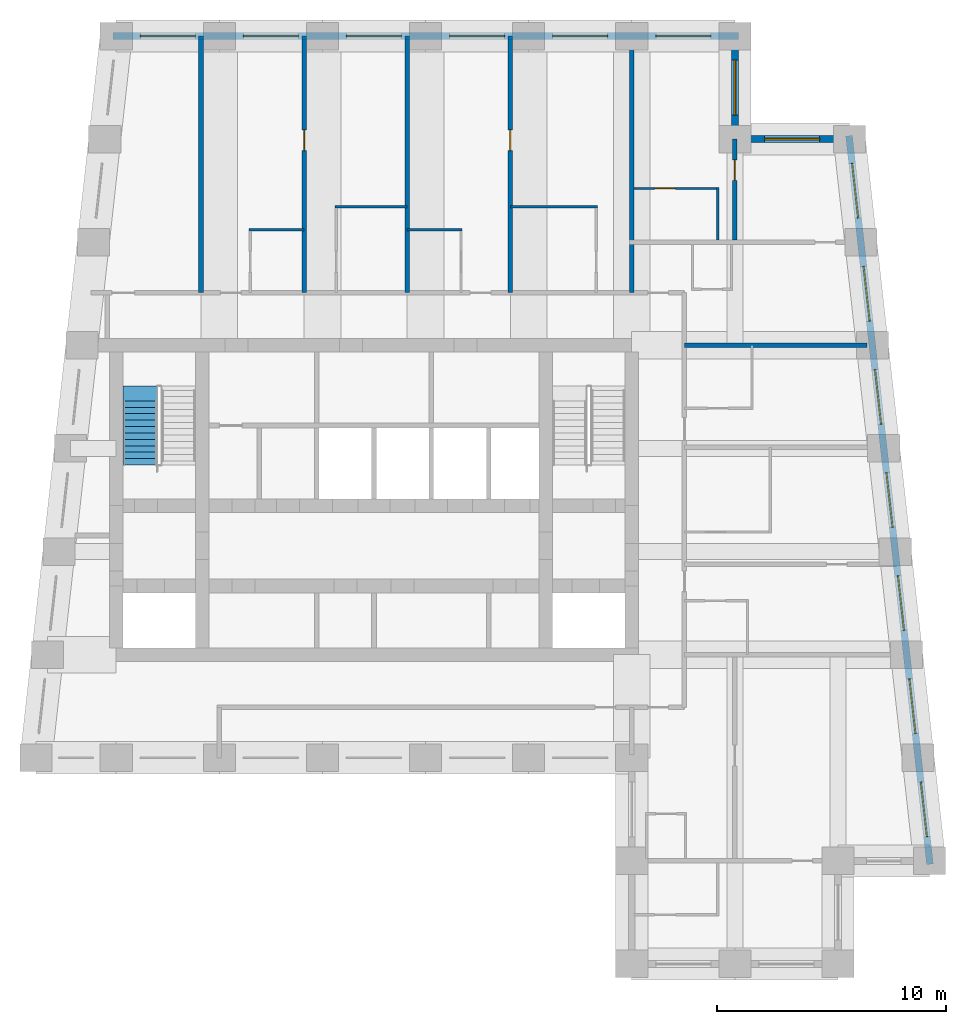
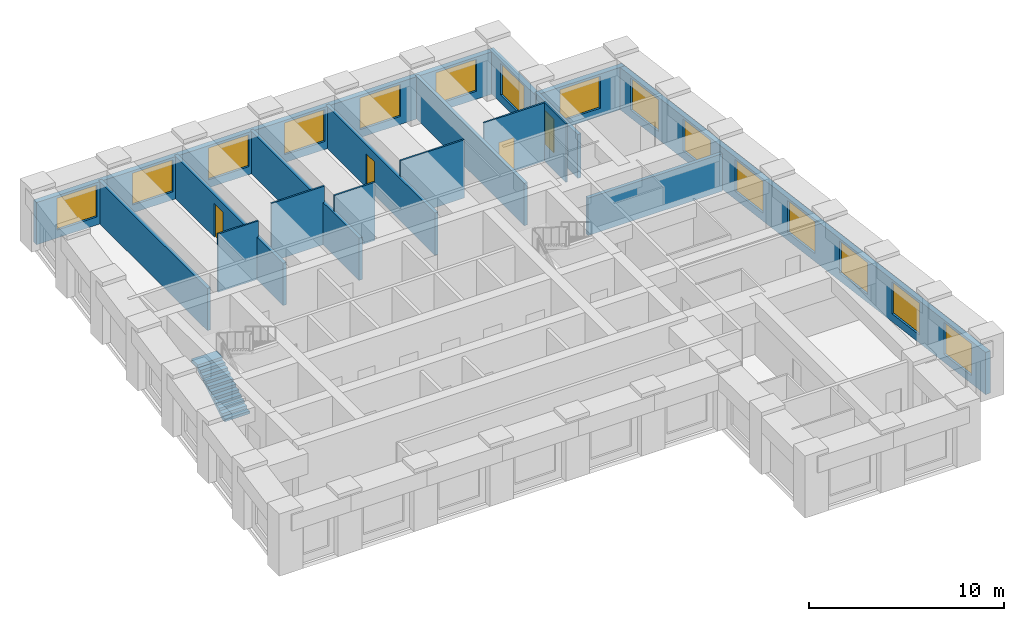
# One storey, part 5 of 7: 17 walls, 15 windows, 4 doors, 1 stair flight, 19 openings, 1 element without a shape of its own.
"""IFC4 building model written with IfcOpenShell, lengths in metres."""

from ifc_helpers import new_model, si_unit, direction, frame, frame_2d, origin, place, context, subcontext, project, spatial, polyline, rectangle, outline, extrude, material, layer, layer_set, type_object, element, fill, aggregate, save


model = new_model("IFC4")

# Units and contexts
model_context = context("Model", 3, precision=1e-05, world=origin(), true_north=direction((0.0, 1.0)))
body_context = subcontext(model_context, "Body", "Model", "MODEL_VIEW")
ifc_project = project(units=[si_unit("LENGTHUNIT", "METRE"), si_unit("AREAUNIT", "SQUARE_METRE"), si_unit("VOLUMEUNIT", "CUBIC_METRE"), si_unit("PLANEANGLEUNIT", "RADIAN"), si_unit("MASSUNIT", "GRAM", prefix="KILO")], contexts=[model_context])

# Site, building, storey
site_placement = place(None, origin())
site = spatial("IfcSite", under=ifc_project, at=site_placement, CompositionType="ELEMENT")
building_placement = place(site_placement, origin())
building = spatial("IfcBuilding", under=site, at=building_placement, Name="Kilele Tower Hotel", CompositionType="ELEMENT")
storey_placement = place(building_placement, frame((0.0, 0.0, 262.39990234375)))
storey = spatial("IfcBuildingStorey", under=building, at=storey_placement, Name="L67", CompositionType="ELEMENT", Elevation=262.39990234375)

# Walls
ifc_material_1 = material(Name="Moisture-resistant board")
ifc_layer_1 = layer(ifc_material_1, 0.10009765625)
ifc_layer_set_1 = layer_set([ifc_layer_1], Name="Moisture-resistant board")
wall_type_1 = type_object("IfcWallType", Name="Bathroom partition 100", PredefinedType="PLUMBINGWALL", material=ifc_layer_set_1)
wall_1_placement = place(storey_placement, frame((19.300048828125, 32.050048828125, 0.0), z_axis=(0.0, 0.0, 1.0), x_axis=(1.0, 0.0, 0.0)))
element("IfcWall", 1, at=wall_1_placement, inside=storey, type_object=wall_type_1, Name="Bathroom partition 100 L67", PredefinedType="PLUMBINGWALL", context=body_context, shape_type="SweptSolid", body=[
    extrude(rectangle(XDim=2.39990234375, YDim=0.10009765625, at=frame_2d((1.199951171875, 0.0))), origin(), (0.0, 0.0, 1.0), 3.650146484375),
])
wall_2_placement = place(storey_placement, frame((23.050048828125, 33.050048828125, 0.0), z_axis=(0.0, 0.0, 1.0), x_axis=(1.0, 0.0, 0.0)))
element("IfcWall", 2, at=wall_2_placement, inside=storey, type_object=wall_type_1, Name="Bathroom partition 100 L67", PredefinedType="PLUMBINGWALL", context=body_context, shape_type="SweptSolid", body=[
    extrude(rectangle(XDim=3.14990234375, YDim=0.10009765625, at=frame_2d((1.574951171875, 0.0))), origin(), (0.0, 0.0, 1.0), 3.650146484375),
])
wall_3_placement = place(storey_placement, frame((26.199951171875, 32.050048828125, 0.0), z_axis=(0.0, 0.0, 1.0), x_axis=(1.0, 0.0, 0.0)))
element("IfcWall", 3, at=wall_3_placement, inside=storey, type_object=wall_type_1, Name="Bathroom partition 100 L67", PredefinedType="PLUMBINGWALL", context=body_context, shape_type="SweptSolid", body=[
    extrude(rectangle(XDim=2.400146484375, YDim=0.10009765625, at=frame_2d((1.2001953125, 0.0))), origin(), (0.0, 0.0, 1.0), 3.650146484375),
])
wall_4_placement = place(storey_placement, frame((30.699951171875, 33.050048828125, 0.0), z_axis=(0.0, 0.0, 1.0), x_axis=(1.0, 0.0, 0.0)))
element("IfcWall", 4, at=wall_4_placement, inside=storey, type_object=wall_type_1, Name="Bathroom partition 100 L67", PredefinedType="PLUMBINGWALL", context=body_context, shape_type="SweptSolid", body=[
    extrude(rectangle(XDim=3.800048828125, YDim=0.10009765625, at=frame_2d((1.89990234375, 0.0))), origin(), (0.0, 0.0, 1.0), 3.650146484375),
])
wall_5_placement = place(storey_placement, frame((39.75, 31.60009765625, 0.0), z_axis=(0.0, 0.0, 1.0), x_axis=(0.0, 1.0, 0.0)))
element("IfcWall", 5, at=wall_5_placement, inside=storey, type_object=wall_type_1, Name="Bathroom partition 100 L67", PredefinedType="PLUMBINGWALL", context=body_context, shape_type="SweptSolid", body=[
    extrude(rectangle(XDim=2.2998046875, YDim=0.10009765625, at=frame_2d((1.14990234375, 0.0))), origin(), (0.0, 0.0, 1.0), 3.650146484375),
])

# Wall, opening, door
wall_6_placement = place(storey_placement, frame((36.10009765625, 33.85009765625, 0.0), z_axis=(0.0, 0.0, 1.0), x_axis=(1.0, 0.0, 0.0)))
wall_6 = element("IfcWall", 6, at=wall_6_placement, inside=storey, type_object=wall_type_1, Name="Bathroom partition 100 L67", PredefinedType="PLUMBINGWALL", context=body_context, shape_type="SweptSolid", body=[
    extrude(rectangle(XDim=3.699951171875, YDim=0.10009765625, at=frame_2d((1.85009765625, 0.0))), origin(), (0.0, 0.0, 1.0), 3.650146484375),
])
opening_1_placement = place(wall_6_placement, frame((0.89990234375, 0.0, 0.0)))
opening_1 = element("IfcOpeningElement", 7, at=opening_1_placement, cuts=wall_6, Name="Opening D2A", PredefinedType="OPENING", context=body_context, shape_type="SweptSolid", body=[
    extrude(rectangle(XDim=0.89990234375, YDim=2.10009765625, at=frame_2d((0.449951171875, 1.050048828125))), frame((0.0, 0.06005859375, 0.0), z_axis=(0.0, -1.0, 0.0), x_axis=(1.0, 0.0, 0.0)), (0.0, 0.0, 1.0), 0.1201171875),
])
ifc_material_2 = material(Name="Timber door leaf in hardwood frame", Category="wood")
door_type_1 = type_object("IfcDoorType", Name="Bathroom door 900", OperationType="SINGLE_SWING_LEFT", PredefinedType="DOOR", material=ifc_material_2)
door_1_placement = place(opening_1_placement, origin())
door_1 = element("IfcDoor", 8, at=door_1_placement, inside=storey, type_object=door_type_1, Name="Bathroom door 6715B", OperationType="SINGLE_SWING_LEFT", OverallHeight=2.10009765625, OverallWidth=0.89990234375, PredefinedType="DOOR", context=body_context, shape_type="SweptSolid", body=[
    extrude(rectangle(XDim=0.89990234375, YDim=2.10009765625, at=frame_2d((0.449951171875, 1.050048828125))), frame((0.0, 0.02490234375, 0.0), z_axis=(0.0, -1.0, 0.0), x_axis=(1.0, 0.0, 0.0)), (0.0, 0.0, 1.0), 0.050048828125),
])
fill(opening_1, door_1)

ifc_material_3 = material(Name="Blockwork, plastered both sides", Category="masonry")
ifc_layer_2 = layer(ifc_material_3, 0.199951171875)
ifc_layer_set_2 = layer_set([ifc_layer_2], Name="Blockwork, plastered both sides")
wall_type_2 = type_object("IfcWallType", Name="Partition wall 200", PredefinedType="PARTITIONING", material=ifc_layer_set_2)
wall_7_placement = place(storey_placement, frame((40.5, 31.60009765625, 0.0), z_axis=(0.0, 0.0, 1.0), x_axis=(0.0, 1.0, 0.0)))
wall_7 = element("IfcWall", 9, at=wall_7_placement, inside=storey, type_object=wall_type_2, Name="Partition wall 200 L67", PredefinedType="PARTITIONING", context=body_context, shape_type="SweptSolid", body=[
    extrude(rectangle(XDim=4.39990234375, YDim=0.199951171875, at=frame_2d((2.199951171875, 0.0))), origin(), (0.0, 0.0, 1.0), 2.75),
])
opening_2_placement = place(wall_7_placement, frame((2.60009765625, 0.0, 0.0)))
opening_2 = element("IfcOpeningElement", 10, at=opening_2_placement, cuts=wall_7, Name="Opening D3", PredefinedType="OPENING", context=body_context, shape_type="SweptSolid", body=[
    extrude(rectangle(XDim=0.89990234375, YDim=2.10009765625, at=frame_2d((0.449951171875, 1.050048828125))), frame((0.0, 0.10986328125, 0.0), z_axis=(0.0, -1.0, 0.0), x_axis=(1.0, 0.0, 0.0)), (0.0, 0.0, 1.0), 0.219970703125),
])
ifc_material_4 = material(Name="Timber door leaf in hardwood frame", Category="wood")
door_type_2 = type_object("IfcDoorType", Name="Suite internal door 900", OperationType="SINGLE_SWING_LEFT", PredefinedType="DOOR", material=ifc_material_4)
door_2_placement = place(opening_2_placement, origin())
door_2 = element("IfcDoor", 11, at=door_2_placement, inside=storey, type_object=door_type_2, Name="Suite door 6716", OperationType="SINGLE_SWING_LEFT", OverallHeight=2.10009765625, OverallWidth=0.89990234375, PredefinedType="DOOR", context=body_context, shape_type="SweptSolid", body=[
    extrude(rectangle(XDim=0.89990234375, YDim=2.10009765625, at=frame_2d((0.449951171875, 1.050048828125))), frame((0.0, 0.02490234375, 0.0), z_axis=(0.0, -1.0, 0.0), x_axis=(1.0, 0.0, 0.0)), (0.0, 0.0, 1.0), 0.050048828125),
])
fill(opening_2, door_2)

# Wall
ifc_material_5 = material(Name="Blockwork, plastered both sides", Category="masonry")
ifc_layer_3 = layer(ifc_material_5, 0.199951171875)
ifc_layer_set_3 = layer_set([ifc_layer_3], Name="Blockwork, plastered both sides")
wall_type_3 = type_object("IfcWallType", Name="Party wall 200", PredefinedType="PARTITIONING", material=ifc_layer_set_3)
wall_8_placement = place(storey_placement, frame((17.199951171875, 29.300048828125, 0.0), z_axis=(0.0, 0.0, 1.0), x_axis=(0.0, 1.0, 0.0)))
element("IfcWall", 12, at=wall_8_placement, inside=storey, type_object=wall_type_3, Name="Party wall 200 L67", PredefinedType="PARTITIONING", context=body_context, shape_type="SweptSolid", body=[
    extrude(rectangle(XDim=11.199951171875, YDim=0.199951171875, at=frame_2d((5.60009765625, 0.0))), origin(), (0.0, 0.0, 1.0), 2.650146484375),
])

# Wall, opening, door
wall_9_placement = place(storey_placement, frame((21.699951171875, 29.300048828125, 0.0), z_axis=(0.0, 0.0, 1.0), x_axis=(0.0, 1.0, 0.0)))
wall_9 = element("IfcWall", 13, at=wall_9_placement, inside=storey, type_object=wall_type_3, Name="Party wall 200 L67", PredefinedType="PARTITIONING", context=body_context, shape_type="SweptSolid", body=[
    extrude(rectangle(XDim=11.199951171875, YDim=0.199951171875, at=frame_2d((5.60009765625, 0.0))), origin(), (0.0, 0.0, 1.0), 2.650146484375),
])
opening_3_placement = place(wall_9_placement, frame((6.199951171875, 0.0, 0.0)))
opening_3 = element("IfcOpeningElement", 14, at=opening_3_placement, cuts=wall_9, Name="Opening D3", PredefinedType="OPENING", context=body_context, shape_type="SweptSolid", body=[
    extrude(rectangle(XDim=0.89990234375, YDim=2.10009765625, at=frame_2d((0.449951171875, 1.050048828125))), frame((0.0, 0.10986328125, 0.0), z_axis=(0.0, -1.0, 0.0), x_axis=(1.0, 0.0, 0.0)), (0.0, 0.0, 1.0), 0.219970703125),
])
door_3_placement = place(opening_3_placement, origin())
door_3 = element("IfcDoor", 15, at=door_3_placement, inside=storey, type_object=door_type_2, Name="Suite door 6708", OperationType="SINGLE_SWING_RIGHT", OverallHeight=2.10009765625, OverallWidth=0.89990234375, PredefinedType="DOOR", context=body_context, shape_type="SweptSolid", body=[
    extrude(rectangle(XDim=0.89990234375, YDim=2.10009765625, at=frame_2d((0.449951171875, 1.050048828125))), frame((0.0, 0.02490234375, 0.0), z_axis=(0.0, -1.0, 0.0), x_axis=(1.0, 0.0, 0.0)), (0.0, 0.0, 1.0), 0.050048828125),
])
fill(opening_3, door_3)

# Wall
wall_10_placement = place(storey_placement, frame((26.199951171875, 29.300048828125, 0.0), z_axis=(0.0, 0.0, 1.0), x_axis=(0.0, 1.0, 0.0)))
element("IfcWall", 16, at=wall_10_placement, inside=storey, type_object=wall_type_3, Name="Party wall 200 L67", PredefinedType="PARTITIONING", context=body_context, shape_type="SweptSolid", body=[
    extrude(rectangle(XDim=11.199951171875, YDim=0.199951171875, at=frame_2d((5.60009765625, 0.0))), origin(), (0.0, 0.0, 1.0), 2.650146484375),
])

# Wall, opening, door
wall_11_placement = place(storey_placement, frame((30.699951171875, 29.300048828125, 0.0), z_axis=(0.0, 0.0, 1.0), x_axis=(0.0, 1.0, 0.0)))
wall_11 = element("IfcWall", 17, at=wall_11_placement, inside=storey, type_object=wall_type_3, Name="Party wall 200 L67", PredefinedType="PARTITIONING", context=body_context, shape_type="SweptSolid", body=[
    extrude(rectangle(XDim=11.199951171875, YDim=0.199951171875, at=frame_2d((5.60009765625, 0.0))), origin(), (0.0, 0.0, 1.0), 2.650146484375),
])
opening_4_placement = place(wall_11_placement, frame((6.199951171875, 0.0, 0.0)))
opening_4 = element("IfcOpeningElement", 18, at=opening_4_placement, cuts=wall_11, Name="Opening D3", PredefinedType="OPENING", context=body_context, shape_type="SweptSolid", body=[
    extrude(rectangle(XDim=0.89990234375, YDim=2.10009765625, at=frame_2d((0.449951171875, 1.050048828125))), frame((0.0, 0.10986328125, 0.0), z_axis=(0.0, -1.0, 0.0), x_axis=(1.0, 0.0, 0.0)), (0.0, 0.0, 1.0), 0.219970703125),
])
door_4_placement = place(opening_4_placement, origin())
door_4 = element("IfcDoor", 19, at=door_4_placement, inside=storey, type_object=door_type_2, Name="Suite door 6710", OperationType="SINGLE_SWING_RIGHT", OverallHeight=2.10009765625, OverallWidth=0.89990234375, PredefinedType="DOOR", context=body_context, shape_type="SweptSolid", body=[
    extrude(rectangle(XDim=0.89990234375, YDim=2.10009765625, at=frame_2d((0.449951171875, 1.050048828125))), frame((0.0, 0.02490234375, 0.0), z_axis=(0.0, -1.0, 0.0), x_axis=(1.0, 0.0, 0.0)), (0.0, 0.0, 1.0), 0.050048828125),
])
fill(opening_4, door_4)

# Walls
wall_12_placement = place(storey_placement, frame((38.300048828125, 27.0, 0.0), z_axis=(0.0, 0.0, 1.0), x_axis=(1.0, 0.0, 0.0)))
element("IfcWall", 20, at=wall_12_placement, inside=storey, type_object=wall_type_3, Name="Party wall 200 L67", PredefinedType="PARTITIONING", context=body_context, shape_type="SweptSolid", body=[
    extrude(rectangle(XDim=7.976806640625, YDim=0.199951171875, at=frame_2d((3.98828125, 0.0))), origin(), (0.0, 0.0, 1.0), 2.35009765625),
])
wall_13_placement = place(storey_placement, frame((36.0, 29.300048828125, 0.0), z_axis=(0.0, 0.0, 1.0), x_axis=(0.0, 1.0, 0.0)))
element("IfcWall", 21, at=wall_13_placement, inside=storey, type_object=wall_type_3, Name="Party wall 200 L67", PredefinedType="PARTITIONING", context=body_context, shape_type="SweptSolid", body=[
    extrude(rectangle(XDim=11.199951171875, YDim=0.199951171875, at=frame_2d((5.60009765625, 0.0))), origin(), (0.0, 0.0, 1.0), 2.650146484375),
])

# Wall, openings, windows
ifc_material_6 = material(Name="Concrete C40/50 precast", Category="concrete")
ifc_layer_4 = layer(ifc_material_6, 0.260009765625, Name="Precast backing", Category="LoadBearing")
ifc_material_7 = material(Name="Reconstituted stone finish", Category="masonry")
ifc_layer_5 = layer(ifc_material_7, 0.0400390625, Name="Face mix", Category="Finish")
ifc_layer_set_4 = layer_set([ifc_layer_4, ifc_layer_5], Name="Precast concrete C40/50, reconstituted stone finish")
wall_type_4 = type_object("IfcWallType", Name="Precast stone facade wall 300", PredefinedType="STANDARD", material=ifc_layer_set_4)
wall_14_placement = place(storey_placement, frame((49.0166015625, 4.350830078125, 0.0), z_axis=(0.0, 0.0, 1.0), x_axis=(-0.110433201132, 0.993883548555, 0.0)))
wall_14 = element("IfcWall", 22, at=wall_14_placement, inside=storey, type_object=wall_type_4, Name="Facade wall L67 edge 6", PredefinedType="STANDARD", context=body_context, shape_type="SweptSolid", body=[
    extrude(rectangle(XDim=31.994140625, YDim=0.300048828125, at=frame_2d((15.9970703125, 0.0))), origin(), (0.0, 0.0, 1.0), 2.650146484375),
])
opening_5_placement = place(wall_14_placement, frame((1.214111328125, 0.0, 0.5)))
opening_5 = element("IfcOpeningElement", 23, at=opening_5_placement, cuts=wall_14, Name="Opening W4", PredefinedType="OPENING", context=body_context, shape_type="SweptSolid", body=[
    extrude(rectangle(XDim=2.39990234375, YDim=2.0, at=frame_2d((1.199951171875, 1.0))), frame((0.0, 0.159912109375, 0.0), z_axis=(0.0, -1.0, 0.0), x_axis=(1.0, 0.0, 0.0)), (0.0, 0.0, 1.0), 0.320068359375),
])
opening_6_placement = place(wall_14_placement, frame((5.741943359375, 0.0, 0.5)))
opening_6 = element("IfcOpeningElement", 24, at=opening_6_placement, cuts=wall_14, Name="Opening W4", PredefinedType="OPENING", context=body_context, shape_type="SweptSolid", body=[
    extrude(rectangle(XDim=2.39990234375, YDim=2.0, at=frame_2d((1.199951171875, 1.0))), frame((0.0, 0.159912109375, 0.0), z_axis=(0.0, -1.0, 0.0), x_axis=(1.0, 0.0, 0.0)), (0.0, 0.0, 1.0), 0.320068359375),
])
opening_7_placement = place(wall_14_placement, frame((10.26904296875, 0.0, 0.5)))
opening_7 = element("IfcOpeningElement", 25, at=opening_7_placement, cuts=wall_14, Name="Opening W4", PredefinedType="OPENING", context=body_context, shape_type="SweptSolid", body=[
    extrude(rectangle(XDim=2.39990234375, YDim=2.0, at=frame_2d((1.199951171875, 1.0))), frame((0.0, 0.159912109375, 0.0), z_axis=(0.0, -1.0, 0.0), x_axis=(1.0, 0.0, 0.0)), (0.0, 0.0, 1.0), 0.320068359375),
])
opening_8_placement = place(wall_14_placement, frame((14.797119140625, 0.0, 0.5)))
opening_8 = element("IfcOpeningElement", 26, at=opening_8_placement, cuts=wall_14, Name="Opening W4", PredefinedType="OPENING", context=body_context, shape_type="SweptSolid", body=[
    extrude(rectangle(XDim=2.39990234375, YDim=2.0, at=frame_2d((1.199951171875, 1.0))), frame((0.0, 0.159912109375, 0.0), z_axis=(0.0, -1.0, 0.0), x_axis=(1.0, 0.0, 0.0)), (0.0, 0.0, 1.0), 0.320068359375),
])
opening_9_placement = place(wall_14_placement, frame((19.324951171875, 0.0, 0.5)))
opening_9 = element("IfcOpeningElement", 27, at=opening_9_placement, cuts=wall_14, Name="Opening W4", PredefinedType="OPENING", context=body_context, shape_type="SweptSolid", body=[
    extrude(rectangle(XDim=2.39990234375, YDim=2.0, at=frame_2d((1.199951171875, 1.0))), frame((0.0, 0.159912109375, 0.0), z_axis=(0.0, -1.0, 0.0), x_axis=(1.0, 0.0, 0.0)), (0.0, 0.0, 1.0), 0.320068359375),
])
opening_10_placement = place(wall_14_placement, frame((23.85205078125, 0.0, 0.5)))
opening_10 = element("IfcOpeningElement", 28, at=opening_10_placement, cuts=wall_14, Name="Opening W4", PredefinedType="OPENING", context=body_context, shape_type="SweptSolid", body=[
    extrude(rectangle(XDim=2.39990234375, YDim=2.0, at=frame_2d((1.199951171875, 1.0))), frame((0.0, 0.159912109375, 0.0), z_axis=(0.0, -1.0, 0.0), x_axis=(1.0, 0.0, 0.0)), (0.0, 0.0, 1.0), 0.320068359375),
])
opening_11_placement = place(wall_14_placement, frame((28.3798828125, 0.0, 0.5)))
opening_11 = element("IfcOpeningElement", 29, at=opening_11_placement, cuts=wall_14, Name="Opening W4", PredefinedType="OPENING", context=body_context, shape_type="SweptSolid", body=[
    extrude(rectangle(XDim=2.39990234375, YDim=2.0, at=frame_2d((1.199951171875, 1.0))), frame((0.0, 0.159912109375, 0.0), z_axis=(0.0, -1.0, 0.0), x_axis=(1.0, 0.0, 0.0)), (0.0, 0.0, 1.0), 0.320068359375),
])
ifc_material_8 = material(Name="Aluminium frame, clear double glazing", Category="aluminium")
window_type = type_object("IfcWindowType", Name="Window W4 2400 x 2000", PartitioningType="SINGLE_PANEL", PredefinedType="WINDOW", material=ifc_material_8)
window_1_placement = place(opening_5_placement, origin())
window_1 = element("IfcWindow", 30, at=window_1_placement, inside=storey, type_object=window_type, Name="Window L67", OverallHeight=2.0, OverallWidth=2.39990234375, PartitioningType="SINGLE_PANEL", PredefinedType="WINDOW", context=body_context, shape_type="SweptSolid", body=[
    extrude(rectangle(XDim=2.39990234375, YDim=2.0, at=frame_2d((1.199951171875, 1.0))), frame((0.0, 0.030029296875, 0.0), z_axis=(0.0, -1.0, 0.0), x_axis=(1.0, 0.0, 0.0)), (0.0, 0.0, 1.0), 0.06005859375),
])
fill(opening_5, window_1)
window_2_placement = place(opening_6_placement, origin())
window_2 = element("IfcWindow", 31, at=window_2_placement, inside=storey, type_object=window_type, Name="Window L67", OverallHeight=2.0, OverallWidth=2.39990234375, PartitioningType="SINGLE_PANEL", PredefinedType="WINDOW", context=body_context, shape_type="SweptSolid", body=[
    extrude(rectangle(XDim=2.39990234375, YDim=2.0, at=frame_2d((1.199951171875, 1.0))), frame((0.0, 0.030029296875, 0.0), z_axis=(0.0, -1.0, 0.0), x_axis=(1.0, 0.0, 0.0)), (0.0, 0.0, 1.0), 0.06005859375),
])
fill(opening_6, window_2)
window_3_placement = place(opening_7_placement, origin())
window_3 = element("IfcWindow", 32, at=window_3_placement, inside=storey, type_object=window_type, Name="Window L67", OverallHeight=2.0, OverallWidth=2.39990234375, PartitioningType="SINGLE_PANEL", PredefinedType="WINDOW", context=body_context, shape_type="SweptSolid", body=[
    extrude(rectangle(XDim=2.39990234375, YDim=2.0, at=frame_2d((1.199951171875, 1.0))), frame((0.0, 0.030029296875, 0.0), z_axis=(0.0, -1.0, 0.0), x_axis=(1.0, 0.0, 0.0)), (0.0, 0.0, 1.0), 0.06005859375),
])
fill(opening_7, window_3)
window_4_placement = place(opening_8_placement, origin())
window_4 = element("IfcWindow", 33, at=window_4_placement, inside=storey, type_object=window_type, Name="Window L67", OverallHeight=2.0, OverallWidth=2.39990234375, PartitioningType="SINGLE_PANEL", PredefinedType="WINDOW", context=body_context, shape_type="SweptSolid", body=[
    extrude(rectangle(XDim=2.39990234375, YDim=2.0, at=frame_2d((1.199951171875, 1.0))), frame((0.0, 0.030029296875, 0.0), z_axis=(0.0, -1.0, 0.0), x_axis=(1.0, 0.0, 0.0)), (0.0, 0.0, 1.0), 0.06005859375),
])
fill(opening_8, window_4)
window_5_placement = place(opening_9_placement, origin())
window_5 = element("IfcWindow", 34, at=window_5_placement, inside=storey, type_object=window_type, Name="Window L67", OverallHeight=2.0, OverallWidth=2.39990234375, PartitioningType="SINGLE_PANEL", PredefinedType="WINDOW", context=body_context, shape_type="SweptSolid", body=[
    extrude(rectangle(XDim=2.39990234375, YDim=2.0, at=frame_2d((1.199951171875, 1.0))), frame((0.0, 0.030029296875, 0.0), z_axis=(0.0, -1.0, 0.0), x_axis=(1.0, 0.0, 0.0)), (0.0, 0.0, 1.0), 0.06005859375),
])
fill(opening_9, window_5)
window_6_placement = place(opening_10_placement, origin())
window_6 = element("IfcWindow", 35, at=window_6_placement, inside=storey, type_object=window_type, Name="Window L67", OverallHeight=2.0, OverallWidth=2.39990234375, PartitioningType="SINGLE_PANEL", PredefinedType="WINDOW", context=body_context, shape_type="SweptSolid", body=[
    extrude(rectangle(XDim=2.39990234375, YDim=2.0, at=frame_2d((1.199951171875, 1.0))), frame((0.0, 0.030029296875, 0.0), z_axis=(0.0, -1.0, 0.0), x_axis=(1.0, 0.0, 0.0)), (0.0, 0.0, 1.0), 0.06005859375),
])
fill(opening_10, window_6)
window_7_placement = place(opening_11_placement, origin())
window_7 = element("IfcWindow", 36, at=window_7_placement, inside=storey, type_object=window_type, Name="Window L67", OverallHeight=2.0, OverallWidth=2.39990234375, PartitioningType="SINGLE_PANEL", PredefinedType="WINDOW", context=body_context, shape_type="SweptSolid", body=[
    extrude(rectangle(XDim=2.39990234375, YDim=2.0, at=frame_2d((1.199951171875, 1.0))), frame((0.0, 0.030029296875, 0.0), z_axis=(0.0, -1.0, 0.0), x_axis=(1.0, 0.0, 0.0)), (0.0, 0.0, 1.0), 0.06005859375),
])
fill(opening_11, window_7)

# Wall, opening, window
wall_15_placement = place(storey_placement, frame((45.64990234375, 36.0, 0.0), z_axis=(0.0, 0.0, 1.0), x_axis=(-1.0, 0.0, 0.0)))
wall_15 = element("IfcWall", 37, at=wall_15_placement, inside=storey, type_object=wall_type_4, Name="Facade wall L67 edge 7", PredefinedType="STANDARD", context=body_context, shape_type="SweptSolid", body=[
    extrude(rectangle(XDim=5.2998046875, YDim=0.300048828125, at=frame_2d((2.64990234375, 0.0))), origin(), (0.0, 0.0, 1.0), 2.650146484375),
])
opening_12_placement = place(wall_15_placement, frame((1.449951171875, 0.0, 0.5)))
opening_12 = element("IfcOpeningElement", 38, at=opening_12_placement, cuts=wall_15, Name="Opening W4", PredefinedType="OPENING", context=body_context, shape_type="SweptSolid", body=[
    extrude(rectangle(XDim=2.39990234375, YDim=2.0, at=frame_2d((1.199951171875, 1.0))), frame((0.0, 0.159912109375, 0.0), z_axis=(0.0, -1.0, 0.0), x_axis=(1.0, 0.0, 0.0)), (0.0, 0.0, 1.0), 0.320068359375),
])
window_8_placement = place(opening_12_placement, origin())
window_8 = element("IfcWindow", 39, at=window_8_placement, inside=storey, type_object=window_type, Name="Window L67", OverallHeight=2.0, OverallWidth=2.39990234375, PartitioningType="SINGLE_PANEL", PredefinedType="WINDOW", context=body_context, shape_type="SweptSolid", body=[
    extrude(rectangle(XDim=2.39990234375, YDim=2.0, at=frame_2d((1.199951171875, 1.0))), frame((0.0, 0.030029296875, 0.0), z_axis=(0.0, -1.0, 0.0), x_axis=(1.0, 0.0, 0.0)), (0.0, 0.0, 1.0), 0.06005859375),
])
fill(opening_12, window_8)

wall_16_placement = place(storey_placement, frame((40.5, 35.85009765625, 0.0), z_axis=(0.0, 0.0, 1.0), x_axis=(0.0, 1.0, 0.0)))
wall_16 = element("IfcWall", 40, at=wall_16_placement, inside=storey, type_object=wall_type_4, Name="Facade wall L67 edge 8", PredefinedType="STANDARD", context=body_context, shape_type="SweptSolid", body=[
    extrude(rectangle(XDim=4.7998046875, YDim=0.300048828125, at=frame_2d((2.39990234375, 0.0))), origin(), (0.0, 0.0, 1.0), 2.650146484375),
])
opening_13_placement = place(wall_16_placement, frame((1.199951171875, 0.0, 0.5)))
opening_13 = element("IfcOpeningElement", 41, at=opening_13_placement, cuts=wall_16, Name="Opening W4", PredefinedType="OPENING", context=body_context, shape_type="SweptSolid", body=[
    extrude(rectangle(XDim=2.39990234375, YDim=2.0, at=frame_2d((1.199951171875, 1.0))), frame((0.0, 0.159912109375, 0.0), z_axis=(0.0, -1.0, 0.0), x_axis=(1.0, 0.0, 0.0)), (0.0, 0.0, 1.0), 0.320068359375),
])
window_9_placement = place(opening_13_placement, origin())
window_9 = element("IfcWindow", 42, at=window_9_placement, inside=storey, type_object=window_type, Name="Window L67", OverallHeight=2.0, OverallWidth=2.39990234375, PartitioningType="SINGLE_PANEL", PredefinedType="WINDOW", context=body_context, shape_type="SweptSolid", body=[
    extrude(rectangle(XDim=2.39990234375, YDim=2.0, at=frame_2d((1.199951171875, 1.0))), frame((0.0, 0.030029296875, 0.0), z_axis=(0.0, -1.0, 0.0), x_axis=(1.0, 0.0, 0.0)), (0.0, 0.0, 1.0), 0.06005859375),
])
fill(opening_13, window_9)

# Wall, openings, windows
wall_17_placement = place(storey_placement, frame((40.64990234375, 40.5, 0.0), z_axis=(0.0, 0.0, 1.0), x_axis=(-1.0, 0.0, 0.0)))
wall_17 = element("IfcWall", 43, at=wall_17_placement, inside=storey, type_object=wall_type_4, Name="Facade wall L67 edge 9", PredefinedType="STANDARD", context=body_context, shape_type="SweptSolid", body=[
    extrude(rectangle(XDim=27.2998046875, YDim=0.300048828125, at=frame_2d((13.64990234375, 0.0))), origin(), (0.0, 0.0, 1.0), 2.650146484375),
])
opening_14_placement = place(wall_17_placement, frame((1.199951171875, 0.0, 0.5)))
opening_14 = element("IfcOpeningElement", 44, at=opening_14_placement, cuts=wall_17, Name="Opening W4", PredefinedType="OPENING", context=body_context, shape_type="SweptSolid", body=[
    extrude(rectangle(XDim=2.39990234375, YDim=2.0, at=frame_2d((1.199951171875, 1.0))), frame((0.0, 0.159912109375, 0.0), z_axis=(0.0, -1.0, 0.0), x_axis=(1.0, 0.0, 0.0)), (0.0, 0.0, 1.0), 0.320068359375),
])
opening_15_placement = place(wall_17_placement, frame((5.699951171875, 0.0, 0.5)))
opening_15 = element("IfcOpeningElement", 45, at=opening_15_placement, cuts=wall_17, Name="Opening W4", PredefinedType="OPENING", context=body_context, shape_type="SweptSolid", body=[
    extrude(rectangle(XDim=2.39990234375, YDim=2.0, at=frame_2d((1.199951171875, 1.0))), frame((0.0, 0.159912109375, 0.0), z_axis=(0.0, -1.0, 0.0), x_axis=(1.0, 0.0, 0.0)), (0.0, 0.0, 1.0), 0.320068359375),
])
opening_16_placement = place(wall_17_placement, frame((10.199951171875, 0.0, 0.5)))
opening_16 = element("IfcOpeningElement", 46, at=opening_16_placement, cuts=wall_17, Name="Opening W4", PredefinedType="OPENING", context=body_context, shape_type="SweptSolid", body=[
    extrude(rectangle(XDim=2.39990234375, YDim=2.0, at=frame_2d((1.199951171875, 1.0))), frame((0.0, 0.159912109375, 0.0), z_axis=(0.0, -1.0, 0.0), x_axis=(1.0, 0.0, 0.0)), (0.0, 0.0, 1.0), 0.320068359375),
])
opening_17_placement = place(wall_17_placement, frame((14.699951171875, 0.0, 0.5)))
opening_17 = element("IfcOpeningElement", 47, at=opening_17_placement, cuts=wall_17, Name="Opening W4", PredefinedType="OPENING", context=body_context, shape_type="SweptSolid", body=[
    extrude(rectangle(XDim=2.39990234375, YDim=2.0, at=frame_2d((1.199951171875, 1.0))), frame((0.0, 0.159912109375, 0.0), z_axis=(0.0, -1.0, 0.0), x_axis=(1.0, 0.0, 0.0)), (0.0, 0.0, 1.0), 0.320068359375),
])
opening_18_placement = place(wall_17_placement, frame((19.199951171875, 0.0, 0.5)))
opening_18 = element("IfcOpeningElement", 48, at=opening_18_placement, cuts=wall_17, Name="Opening W4", PredefinedType="OPENING", context=body_context, shape_type="SweptSolid", body=[
    extrude(rectangle(XDim=2.39990234375, YDim=2.0, at=frame_2d((1.199951171875, 1.0))), frame((0.0, 0.159912109375, 0.0), z_axis=(0.0, -1.0, 0.0), x_axis=(1.0, 0.0, 0.0)), (0.0, 0.0, 1.0), 0.320068359375),
])
opening_19_placement = place(wall_17_placement, frame((23.699951171875, 0.0, 0.5)))
opening_19 = element("IfcOpeningElement", 49, at=opening_19_placement, cuts=wall_17, Name="Opening W4", PredefinedType="OPENING", context=body_context, shape_type="SweptSolid", body=[
    extrude(rectangle(XDim=2.39990234375, YDim=2.0, at=frame_2d((1.199951171875, 1.0))), frame((0.0, 0.159912109375, 0.0), z_axis=(0.0, -1.0, 0.0), x_axis=(1.0, 0.0, 0.0)), (0.0, 0.0, 1.0), 0.320068359375),
])
window_10_placement = place(opening_14_placement, origin())
window_10 = element("IfcWindow", 50, at=window_10_placement, inside=storey, type_object=window_type, Name="Window L67", OverallHeight=2.0, OverallWidth=2.39990234375, PartitioningType="SINGLE_PANEL", PredefinedType="WINDOW", context=body_context, shape_type="SweptSolid", body=[
    extrude(rectangle(XDim=2.39990234375, YDim=2.0, at=frame_2d((1.199951171875, 1.0))), frame((0.0, 0.030029296875, 0.0), z_axis=(0.0, -1.0, 0.0), x_axis=(1.0, 0.0, 0.0)), (0.0, 0.0, 1.0), 0.06005859375),
])
fill(opening_14, window_10)
window_11_placement = place(opening_15_placement, origin())
window_11 = element("IfcWindow", 51, at=window_11_placement, inside=storey, type_object=window_type, Name="Window L67", OverallHeight=2.0, OverallWidth=2.39990234375, PartitioningType="SINGLE_PANEL", PredefinedType="WINDOW", context=body_context, shape_type="SweptSolid", body=[
    extrude(rectangle(XDim=2.39990234375, YDim=2.0, at=frame_2d((1.199951171875, 1.0))), frame((0.0, 0.030029296875, 0.0), z_axis=(0.0, -1.0, 0.0), x_axis=(1.0, 0.0, 0.0)), (0.0, 0.0, 1.0), 0.06005859375),
])
fill(opening_15, window_11)
window_12_placement = place(opening_16_placement, origin())
window_12 = element("IfcWindow", 52, at=window_12_placement, inside=storey, type_object=window_type, Name="Window L67", OverallHeight=2.0, OverallWidth=2.39990234375, PartitioningType="SINGLE_PANEL", PredefinedType="WINDOW", context=body_context, shape_type="SweptSolid", body=[
    extrude(rectangle(XDim=2.39990234375, YDim=2.0, at=frame_2d((1.199951171875, 1.0))), frame((0.0, 0.030029296875, 0.0), z_axis=(0.0, -1.0, 0.0), x_axis=(1.0, 0.0, 0.0)), (0.0, 0.0, 1.0), 0.06005859375),
])
fill(opening_16, window_12)
window_13_placement = place(opening_17_placement, origin())
window_13 = element("IfcWindow", 53, at=window_13_placement, inside=storey, type_object=window_type, Name="Window L67", OverallHeight=2.0, OverallWidth=2.39990234375, PartitioningType="SINGLE_PANEL", PredefinedType="WINDOW", context=body_context, shape_type="SweptSolid", body=[
    extrude(rectangle(XDim=2.39990234375, YDim=2.0, at=frame_2d((1.199951171875, 1.0))), frame((0.0, 0.030029296875, 0.0), z_axis=(0.0, -1.0, 0.0), x_axis=(1.0, 0.0, 0.0)), (0.0, 0.0, 1.0), 0.06005859375),
])
fill(opening_17, window_13)
window_14_placement = place(opening_18_placement, origin())
window_14 = element("IfcWindow", 54, at=window_14_placement, inside=storey, type_object=window_type, Name="Window L67", OverallHeight=2.0, OverallWidth=2.39990234375, PartitioningType="SINGLE_PANEL", PredefinedType="WINDOW", context=body_context, shape_type="SweptSolid", body=[
    extrude(rectangle(XDim=2.39990234375, YDim=2.0, at=frame_2d((1.199951171875, 1.0))), frame((0.0, 0.030029296875, 0.0), z_axis=(0.0, -1.0, 0.0), x_axis=(1.0, 0.0, 0.0)), (0.0, 0.0, 1.0), 0.06005859375),
])
fill(opening_18, window_14)
window_15_placement = place(opening_19_placement, origin())
window_15 = element("IfcWindow", 55, at=window_15_placement, inside=storey, type_object=window_type, Name="Window L67", OverallHeight=2.0, OverallWidth=2.39990234375, PartitioningType="SINGLE_PANEL", PredefinedType="WINDOW", context=body_context, shape_type="SweptSolid", body=[
    extrude(rectangle(XDim=2.39990234375, YDim=2.0, at=frame_2d((1.199951171875, 1.0))), frame((0.0, 0.030029296875, 0.0), z_axis=(0.0, -1.0, 0.0), x_axis=(1.0, 0.0, 0.0)), (0.0, 0.0, 1.0), 0.06005859375),
])
fill(opening_19, window_15)

# Stair, stair flight
ifc_material_9 = material(Name="Precast concrete C40/50", Category="concrete")
stair_type = type_object("IfcStairType", Name="Stair 1475 x 3900", PredefinedType="HALF_TURN_STAIR", material=ifc_material_9)
stair_placement = place(storey_placement, origin())
stair = element("IfcStair", 56, at=stair_placement, inside=storey, type_object=stair_type, Name="Stair 1 L67", PredefinedType="HALF_TURN_STAIR")
ifc_material_10 = material(Name="Precast concrete C40/50", Category="concrete")
stair_flight_type = type_object("IfcStairFlightType", Name="Flight 1475 riser 169.6", PredefinedType="STRAIGHT", material=ifc_material_10)
stair_flight_placement = place(storey_placement, frame((14.53759765625, 21.77490234375, 0.0), z_axis=(0.0, 0.0, 1.0), x_axis=(0.0, 1.0, 0.0)))
stair_flight = element("IfcStairFlight", 57, at=stair_flight_placement, type_object=stair_flight_type, Name="ST1 flight 1", NumberOfRisers=11, NumberOfTreads=10, PredefinedType="STRAIGHT", RiserHeight=0.169565217, TreadLength=0.28, context=body_context, shape_type="SweptSolid", body=[
    extrude(outline(polyline([(0.0, 0.0), (0.0, 0.169677734375), (0.280029296875, 0.169677734375), (0.280029296875, 0.339111328125), (0.56005859375, 0.339111328125), (0.56005859375, 0.5087890625), (0.840087890625, 0.5087890625), (0.840087890625, 0.67822265625), (1.1201171875, 0.67822265625), (1.1201171875, 0.847900390625), (1.39990234375, 0.847900390625), (1.39990234375, 1.017333984375), (1.679931640625, 1.017333984375), (1.679931640625, 1.18701171875), (1.9599609375, 1.18701171875), (1.9599609375, 1.3564453125), (2.239990234375, 1.3564453125), (2.239990234375, 1.526123046875), (2.52001953125, 1.526123046875), (2.52001953125, 1.695556640625), (2.800048828125, 1.695556640625), (2.800048828125, 1.865234375), (2.800048828125, 1.5205078125), (0.289306640625, 0.0), (0.0, 0.0)])), frame((0.0, 0.737548828125, 0.0), z_axis=(0.0, -1.0, 0.0), x_axis=(1.0, 0.0, 0.0)), (0.0, 0.0, 1.0), 1.47509765625),
    extrude(outline(polyline([(2.800048828125, 0.737548828125), (2.800048828125, -0.7373046875), (3.4501953125, -0.7373046875), (3.4501953125, 0.737548828125), (2.800048828125, 0.737548828125)])), frame((0.0, 0.0, 1.665283203125)), (0.0, 0.0, 1.0), 0.199951171875),
])
aggregate(stair, [stair_flight])

save(model, "model.ifc")
